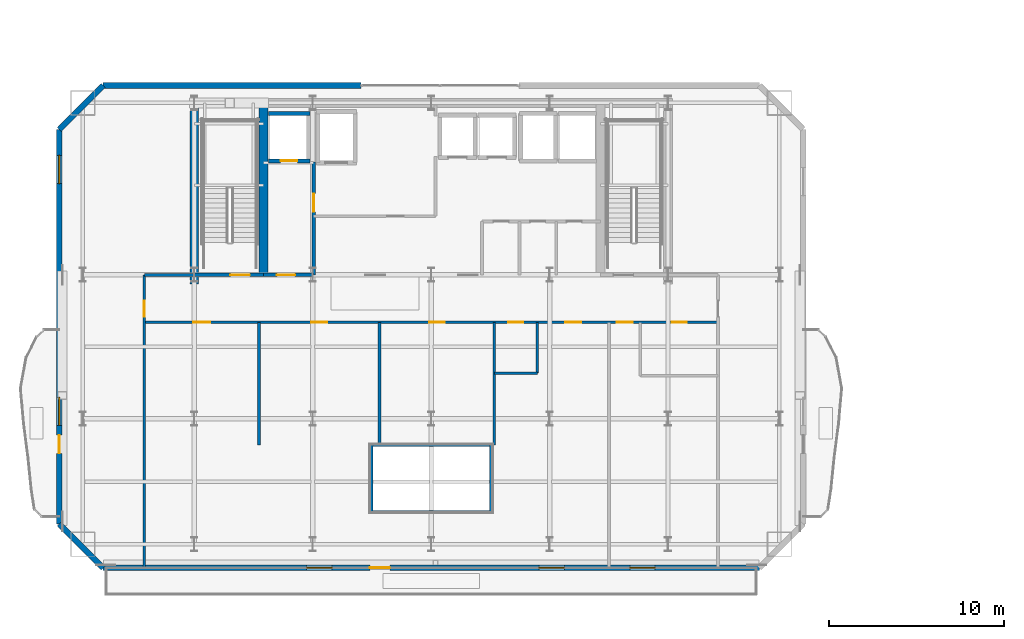
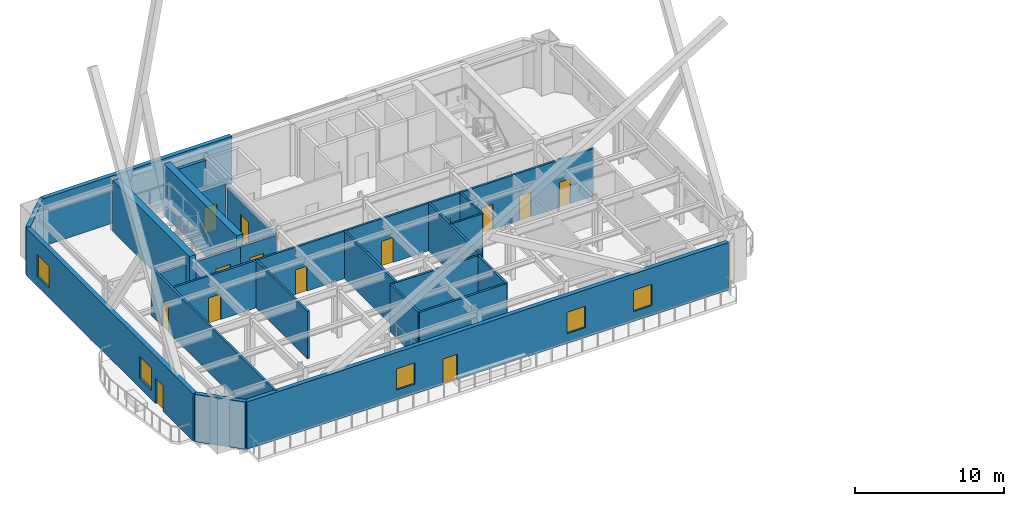
# One storey, part 12 of 22: 24 walls, 14 doors, 5 windows, 19 openings.
"""IFC4 building model written with IfcOpenShell, lengths in metres."""

from ifc_helpers import new_model, si_unit, direction, frame, frame_2d, origin, place, context, subcontext, project, spatial, rectangle, extrude, material, layer, layer_set, type_object, element, fill, save


model = new_model("IFC4")

# Units and contexts
model_context = context("Model", 3, precision=1e-05, world=origin(), true_north=direction((0.0, 1.0)))
body_context = subcontext(model_context, "Body", "Model", "MODEL_VIEW")
ifc_project = project(units=[si_unit("LENGTHUNIT", "METRE"), si_unit("AREAUNIT", "SQUARE_METRE"), si_unit("VOLUMEUNIT", "CUBIC_METRE"), si_unit("PLANEANGLEUNIT", "RADIAN"), si_unit("MASSUNIT", "GRAM", prefix="KILO")], contexts=[model_context])

# Site, building, storey
site_placement = place(None, origin())
site = spatial("IfcSite", under=ifc_project, at=site_placement, CompositionType="ELEMENT")
building_placement = place(site_placement, origin())
building = spatial("IfcBuilding", under=site, at=building_placement, Name="Haevon Station Towers", CompositionType="ELEMENT")
storey_placement = place(building_placement, frame((0.0, 0.0, 133.800048828125)))
storey = spatial("IfcBuildingStorey", under=building, at=storey_placement, Name="L36", CompositionType="ELEMENT", Elevation=133.800048828125)

# Wall, opening, door
ifc_material_1 = material(Name="Gypsum board on steel stud", Category="steel")
ifc_layer_1 = layer(ifc_material_1, 0.199951171875)
ifc_layer_set_1 = layer_set([ifc_layer_1], Name="Gypsum board on steel stud")
wall_type_1 = type_object("IfcWallType", Name="WL-COR200", PredefinedType="PARTITIONING", material=ifc_layer_set_1)
wall_1_placement = place(storey_placement, frame((24.0, 38.199951171875, 0.0), z_axis=(0.0, 0.0, 1.0), x_axis=(1.0, 0.0, 0.0)))
wall_1 = element("IfcWall", 1, at=wall_1_placement, inside=storey, type_object=wall_type_1, Name="WL-ST-ST1-L36", PredefinedType="PARTITIONING", context=body_context, shape_type="SweptSolid", body=[
    extrude(rectangle(XDim=3.949951171875, YDim=0.199951171875, at=frame_2d((1.97509765625, 0.0))), origin(), (0.0, 0.0, 1.0), 3.25),
])
opening_1_placement = place(wall_1_placement, frame((2.050048828125, 0.0, 0.0)))
opening_1 = element("IfcOpeningElement", 2, at=opening_1_placement, cuts=wall_1, Name="Opening DR-ST-ST1-L36", PredefinedType="OPENING", context=body_context, shape_type="SweptSolid", body=[
    extrude(rectangle(XDim=1.1201171875, YDim=2.10009765625, at=frame_2d((0.56005859375, 1.050048828125))), frame((0.0, 0.10986328125, 0.0), z_axis=(0.0, -1.0, 0.0), x_axis=(1.0, 0.0, 0.0)), (0.0, 0.0, 1.0), 0.219970703125),
])
ifc_material_2 = material(Name="Engineered oak timber", Category="wood")
door_type_1 = type_object("IfcDoorType", Name="DR-ST-1120", OperationType="NOTDEFINED", PredefinedType="DOOR", material=ifc_material_2)
door_1_placement = place(opening_1_placement, origin())
door_1 = element("IfcDoor", 3, at=door_1_placement, inside=storey, type_object=door_type_1, Name="L36 Escape Stair ST1 Fire Door", OperationType="SINGLE_SWING_LEFT", OverallHeight=2.10009765625, OverallWidth=1.1201171875, PredefinedType="DOOR", context=body_context, shape_type="SweptSolid", body=[
    extrude(rectangle(XDim=1.1201171875, YDim=2.10009765625, at=frame_2d((0.56005859375, 1.050048828125))), frame((0.0, 0.02490234375, 0.0), z_axis=(0.0, -1.0, 0.0), x_axis=(1.0, 0.0, 0.0)), (0.0, 0.0, 1.0), 0.050048828125),
])
fill(opening_1, door_1)

wall_2_placement = place(storey_placement, frame((30.800048828125, 38.199951171875, 0.0), z_axis=(0.0, 0.0, 1.0), x_axis=(0.0, 1.0, 0.0)))
wall_2 = element("IfcWall", 4, at=wall_2_placement, inside=storey, type_object=wall_type_1, Name="WL-T1FFL-L36-E", PredefinedType="PARTITIONING", context=body_context, shape_type="SweptSolid", body=[
    extrude(rectangle(XDim=6.449951171875, YDim=0.199951171875, at=frame_2d((3.22509765625, 0.0))), origin(), (0.0, 0.0, 1.0), 3.25),
])
opening_2_placement = place(wall_2_placement, frame((3.590087890625, 0.0, 0.0)))
opening_2 = element("IfcOpeningElement", 5, at=opening_2_placement, cuts=wall_2, Name="Opening DR-T1FFL-L36-E", PredefinedType="OPENING", context=body_context, shape_type="SweptSolid", body=[
    extrude(rectangle(XDim=1.050048828125, YDim=2.10009765625, at=frame_2d((0.52490234375, 1.050048828125))), frame((0.0, 0.10986328125, 0.0), z_axis=(0.0, -1.0, 0.0), x_axis=(1.0, 0.0, 0.0)), (0.0, 0.0, 1.0), 0.219970703125),
])
door_type_2 = type_object("IfcDoorType", Name="DR-FD60-1050", OperationType="NOTDEFINED", PredefinedType="DOOR", material=ifc_material_2)
door_2_placement = place(opening_2_placement, origin())
door_2 = element("IfcDoor", 6, at=door_2_placement, inside=storey, type_object=door_type_2, Name="L36 Tower 1 Firefighting Lift Lobby Door E", OperationType="SINGLE_SWING_LEFT", OverallHeight=2.10009765625, OverallWidth=1.050048828125, PredefinedType="DOOR", context=body_context, shape_type="SweptSolid", body=[
    extrude(rectangle(XDim=1.050048828125, YDim=2.10009765625, at=frame_2d((0.52490234375, 1.050048828125))), frame((0.0, 0.02490234375, 0.0), z_axis=(0.0, -1.0, 0.0), x_axis=(1.0, 0.0, 0.0)), (0.0, 0.0, 1.0), 0.050048828125),
])
fill(opening_2, door_2)

wall_3_placement = place(storey_placement, frame((27.949951171875, 38.199951171875, 0.0), z_axis=(0.0, 0.0, 1.0), x_axis=(1.0, 0.0, 0.0)))
wall_3 = element("IfcWall", 7, at=wall_3_placement, inside=storey, type_object=wall_type_1, Name="WL-T1FFL-L36-S", PredefinedType="PARTITIONING", context=body_context, shape_type="SweptSolid", body=[
    extrude(rectangle(XDim=2.85009765625, YDim=0.199951171875, at=frame_2d((1.425048828125, 0.0))), origin(), (0.0, 0.0, 1.0), 3.25),
])
opening_3_placement = place(wall_3_placement, frame((0.75, 0.0, 0.0)))
opening_3 = element("IfcOpeningElement", 8, at=opening_3_placement, cuts=wall_3, Name="Opening DR-T1FFL-L36-S", PredefinedType="OPENING", context=body_context, shape_type="SweptSolid", body=[
    extrude(rectangle(XDim=1.050048828125, YDim=2.10009765625, at=frame_2d((0.52490234375, 1.050048828125))), frame((0.0, 0.10986328125, 0.0), z_axis=(0.0, -1.0, 0.0), x_axis=(1.0, 0.0, 0.0)), (0.0, 0.0, 1.0), 0.219970703125),
])
door_3_placement = place(opening_3_placement, origin())
door_3 = element("IfcDoor", 9, at=door_3_placement, inside=storey, type_object=door_type_2, Name="L36 Tower 1 Firefighting Lift Lobby Door S", OperationType="SINGLE_SWING_RIGHT", OverallHeight=2.10009765625, OverallWidth=1.050048828125, PredefinedType="DOOR", context=body_context, shape_type="SweptSolid", body=[
    extrude(rectangle(XDim=1.050048828125, YDim=2.10009765625, at=frame_2d((0.52490234375, 1.050048828125))), frame((0.0, 0.02490234375, 0.0), z_axis=(0.0, -1.0, 0.0), x_axis=(1.0, 0.0, 0.0)), (0.0, 0.0, 1.0), 0.050048828125),
])
fill(opening_3, door_3)

# Walls
ifc_material_3 = material(Name="Concrete C60/75", Category="concrete")
ifc_layer_2 = layer(ifc_material_3, 0.5)
ifc_layer_set_2 = layer_set([ifc_layer_2], Name="Concrete C60/75")
wall_type_2 = type_object("IfcWallType", Name="WL-CR500", PredefinedType="SHEAR", material=ifc_layer_set_2)
wall_4_placement = place(storey_placement, frame((24.0, 37.679931640625, 0.0), z_axis=(0.0, 0.0, 1.0), x_axis=(0.0, 1.0, 0.0)))
element("IfcWall", 10, at=wall_4_placement, inside=storey, type_object=wall_type_2, Name="WL-T1CR-L36-W", PredefinedType="SHEAR", context=body_context, shape_type="SweptSolid", body=[
    extrude(rectangle(XDim=10.320068359375, YDim=0.5, at=frame_2d((5.16015625, 0.0))), origin(), (0.0, 0.0, 1.0), 4.199951171875),
])
wall_5_placement = place(storey_placement, frame((27.949951171875, 38.199951171875, 0.0), z_axis=(0.0, 0.0, 1.0), x_axis=(0.0, 1.0, 0.0)))
element("IfcWall", 11, at=wall_5_placement, inside=storey, type_object=wall_type_2, Name="WL-T1CR-L36-M1", PredefinedType="SHEAR", context=body_context, shape_type="SweptSolid", body=[
    extrude(rectangle(XDim=9.800048828125, YDim=0.5, at=frame_2d((4.89990234375, 0.0))), origin(), (0.0, 0.0, 1.0), 4.199951171875),
])

# Wall, openings, door, windows
ifc_material_4 = material(Name="Precast concrete C45/55", Category="concrete")
ifc_layer_3 = layer(ifc_material_4, 0.320068359375)
ifc_layer_set_3 = layer_set([ifc_layer_3], Name="Precast concrete C45/55")
wall_type_3 = type_object("IfcWallType", Name="WL-EXT-PIER320", PredefinedType="SOLIDWALL", material=ifc_layer_set_3)
wall_6_placement = place(storey_placement, frame((56.199951171875, 21.5, 0.0), z_axis=(0.0, 0.0, 1.0), x_axis=(-1.0, 0.0, 0.0)))
wall_6 = element("IfcWall", 12, at=wall_6_placement, inside=storey, type_object=wall_type_3, Name="WL-T1-L36-S", PredefinedType="SOLIDWALL", context=body_context, shape_type="SweptSolid", body=[
    extrude(rectangle(XDim=37.39990234375, YDim=0.320068359375, at=frame_2d((18.699951171875, 0.0))), origin(), (0.0, 0.0, 1.0), 3.89990234375),
])
opening_4_placement = place(wall_6_placement, frame((21.052001953125, 0.0, 0.0)))
opening_4 = element("IfcOpeningElement", 13, at=opening_4_placement, cuts=wall_6, Name="Opening DR-T1-SKYG-L36", PredefinedType="OPENING", context=body_context, shape_type="SweptSolid", body=[
    extrude(rectangle(XDim=1.14990234375, YDim=2.10009765625, at=frame_2d((0.574951171875, 1.050048828125))), frame((0.0, 0.169921875, 0.0), z_axis=(0.0, -1.0, 0.0), x_axis=(1.0, 0.0, 0.0)), (0.0, 0.0, 1.0), 0.340087890625),
])
opening_5_placement = place(wall_6_placement, frame((24.3515625, 0.0, 0.800048828125)))
opening_5 = element("IfcOpeningElement", 14, at=opening_5_placement, cuts=wall_6, Name="Opening WN-P145", PredefinedType="OPENING", context=body_context, shape_type="SweptSolid", body=[
    extrude(rectangle(XDim=1.449951171875, YDim=1.75, at=frame_2d((0.72509765625, 0.875))), frame((0.0, 0.169921875, 0.0), z_axis=(0.0, -1.0, 0.0), x_axis=(1.0, 0.0, 0.0)), (0.0, 0.0, 1.0), 0.340087890625),
])
opening_6_placement = place(wall_6_placement, frame((11.10791015625, 0.0, 0.800048828125)))
opening_6 = element("IfcOpeningElement", 15, at=opening_6_placement, cuts=wall_6, Name="Opening WN-P145", PredefinedType="OPENING", context=body_context, shape_type="SweptSolid", body=[
    extrude(rectangle(XDim=1.449951171875, YDim=1.75, at=frame_2d((0.72509765625, 0.875))), frame((0.0, 0.169921875, 0.0), z_axis=(0.0, -1.0, 0.0), x_axis=(1.0, 0.0, 0.0)), (0.0, 0.0, 1.0), 0.340087890625),
])
opening_7_placement = place(wall_6_placement, frame((5.932373046875, 0.0, 0.800048828125)))
opening_7 = element("IfcOpeningElement", 16, at=opening_7_placement, cuts=wall_6, Name="Opening WN-P145", PredefinedType="OPENING", context=body_context, shape_type="SweptSolid", body=[
    extrude(rectangle(XDim=1.449951171875, YDim=1.75, at=frame_2d((0.72509765625, 0.875))), frame((0.0, 0.169921875, 0.0), z_axis=(0.0, -1.0, 0.0), x_axis=(1.0, 0.0, 0.0)), (0.0, 0.0, 1.0), 0.340087890625),
])
ifc_material_5 = material(Name="Thermally broken anodised aluminium and laminated safety glass", Category="aluminium")
door_type_3 = type_object("IfcDoorType", Name="DR-BALC-1150", OperationType="NOTDEFINED", PredefinedType="DOOR", material=ifc_material_5)
door_4_placement = place(opening_4_placement, origin())
door_4 = element("IfcDoor", 17, at=door_4_placement, inside=storey, type_object=door_type_3, Name="Tower 1 L36 Sky Garden Terrace Door", OperationType="SINGLE_SWING_RIGHT", OverallHeight=2.10009765625, OverallWidth=1.14990234375, PredefinedType="DOOR", context=body_context, shape_type="SweptSolid", body=[
    extrude(rectangle(XDim=1.14990234375, YDim=2.10009765625, at=frame_2d((0.574951171875, 1.050048828125))), frame((0.0, 0.02490234375, 0.0), z_axis=(0.0, -1.0, 0.0), x_axis=(1.0, 0.0, 0.0)), (0.0, 0.0, 1.0), 0.050048828125),
])
fill(opening_4, door_4)
ifc_material_6 = material(Name="Low-E triple glazing in thermally broken aluminium", Category="aluminium")
window_type_1 = type_object("IfcWindowType", Name="WN-P145", PartitioningType="SINGLE_PANEL", PredefinedType="WINDOW", material=ifc_material_6)
window_1_placement = place(opening_5_placement, origin())
window_1 = element("IfcWindow", 18, at=window_1_placement, inside=storey, type_object=window_type_1, Name="WN-T1-L36-S01", OverallHeight=1.75, OverallWidth=1.449951171875, PartitioningType="SINGLE_PANEL", PredefinedType="WINDOW", context=body_context, shape_type="SweptSolid", body=[
    extrude(rectangle(XDim=1.449951171875, YDim=1.75, at=frame_2d((0.72509765625, 0.875))), frame((0.0, 0.030029296875, 0.0), z_axis=(0.0, -1.0, 0.0), x_axis=(1.0, 0.0, 0.0)), (0.0, 0.0, 1.0), 0.06005859375),
])
fill(opening_5, window_1)
window_2_placement = place(opening_6_placement, origin())
window_2 = element("IfcWindow", 19, at=window_2_placement, inside=storey, type_object=window_type_1, Name="WN-T1-L36-S02", OverallHeight=1.75, OverallWidth=1.449951171875, PartitioningType="SINGLE_PANEL", PredefinedType="WINDOW", context=body_context, shape_type="SweptSolid", body=[
    extrude(rectangle(XDim=1.449951171875, YDim=1.75, at=frame_2d((0.72509765625, 0.875))), frame((0.0, 0.030029296875, 0.0), z_axis=(0.0, -1.0, 0.0), x_axis=(1.0, 0.0, 0.0)), (0.0, 0.0, 1.0), 0.06005859375),
])
fill(opening_6, window_2)
window_3_placement = place(opening_7_placement, origin())
window_3 = element("IfcWindow", 20, at=window_3_placement, inside=storey, type_object=window_type_1, Name="WN-T1-L36-S03", OverallHeight=1.75, OverallWidth=1.449951171875, PartitioningType="SINGLE_PANEL", PredefinedType="WINDOW", context=body_context, shape_type="SweptSolid", body=[
    extrude(rectangle(XDim=1.449951171875, YDim=1.75, at=frame_2d((0.72509765625, 0.875))), frame((0.0, 0.030029296875, 0.0), z_axis=(0.0, -1.0, 0.0), x_axis=(1.0, 0.0, 0.0)), (0.0, 0.0, 1.0), 0.06005859375),
])
fill(opening_7, window_3)

# Wall
wall_7_placement = place(storey_placement, frame((18.800048828125, 21.5, 0.0), z_axis=(0.0, 0.0, 1.0), x_axis=(-0.707106781187, 0.707106781187, 0.0)))
element("IfcWall", 21, at=wall_7_placement, inside=storey, type_object=wall_type_3, Name="WL-T1-L36-SWC", PredefinedType="SOLIDWALL", context=body_context, shape_type="SweptSolid", body=[
    extrude(rectangle(XDim=3.53564453125, YDim=0.320068359375, at=frame_2d((1.767822265625, 0.0))), origin(), (0.0, 0.0, 1.0), 3.89990234375),
])

# Wall, openings, door, windows
wall_8_placement = place(storey_placement, frame((16.300048828125, 24.0, 0.0), z_axis=(0.0, 0.0, 1.0), x_axis=(0.0, 1.0, 0.0)))
wall_8 = element("IfcWall", 22, at=wall_8_placement, inside=storey, type_object=wall_type_3, Name="WL-T1-L36-W", PredefinedType="SOLIDWALL", context=body_context, shape_type="SweptSolid", body=[
    extrude(rectangle(XDim=22.5, YDim=0.320068359375, at=frame_2d((11.25, 0.0))), origin(), (0.0, 0.0, 1.0), 3.89990234375),
])
opening_8_placement = place(wall_8_placement, frame((4.02490234375, 0.0, 0.0)))
opening_8 = element("IfcOpeningElement", 23, at=opening_8_placement, cuts=wall_8, Name="Opening DR-T1-SCAL-L36-W", PredefinedType="OPENING", context=body_context, shape_type="SweptSolid", body=[
    extrude(rectangle(XDim=1.050048828125, YDim=2.10009765625, at=frame_2d((0.52490234375, 1.050048828125))), frame((0.0, 0.169921875, 0.0), z_axis=(0.0, -1.0, 0.0), x_axis=(1.0, 0.0, 0.0)), (0.0, 0.0, 1.0), 0.340087890625),
])
opening_9_placement = place(wall_8_placement, frame((5.625, 0.0, 0.800048828125)))
opening_9 = element("IfcOpeningElement", 24, at=opening_9_placement, cuts=wall_8, Name="Opening WN-END160", PredefinedType="OPENING", context=body_context, shape_type="SweptSolid", body=[
    extrude(rectangle(XDim=1.60009765625, YDim=1.800048828125, at=frame_2d((0.800048828125, 0.89990234375))), frame((0.0, 0.169921875, 0.0), z_axis=(0.0, -1.0, 0.0), x_axis=(1.0, 0.0, 0.0)), (0.0, 0.0, 1.0), 0.340087890625),
])
opening_10_placement = place(wall_8_placement, frame((19.41064453125, 0.0, 0.800048828125)))
opening_10 = element("IfcOpeningElement", 25, at=opening_10_placement, cuts=wall_8, Name="Opening WN-END160", PredefinedType="OPENING", context=body_context, shape_type="SweptSolid", body=[
    extrude(rectangle(XDim=1.60009765625, YDim=1.800048828125, at=frame_2d((0.800048828125, 0.89990234375))), frame((0.0, 0.169921875, 0.0), z_axis=(0.0, -1.0, 0.0), x_axis=(1.0, 0.0, 0.0)), (0.0, 0.0, 1.0), 0.340087890625),
])
door_type_4 = type_object("IfcDoorType", Name="DR-BALC-1050", OperationType="NOTDEFINED", PredefinedType="DOOR", material=ifc_material_5)
door_5_placement = place(opening_8_placement, origin())
door_5 = element("IfcDoor", 26, at=door_5_placement, inside=storey, type_object=door_type_4, Name="Tower 1 L36 West Scalloped Balcony Door", OperationType="SINGLE_SWING_LEFT", OverallHeight=2.10009765625, OverallWidth=1.050048828125, PredefinedType="DOOR", context=body_context, shape_type="SweptSolid", body=[
    extrude(rectangle(XDim=1.050048828125, YDim=2.10009765625, at=frame_2d((0.52490234375, 1.050048828125))), frame((0.0, 0.02490234375, 0.0), z_axis=(0.0, -1.0, 0.0), x_axis=(1.0, 0.0, 0.0)), (0.0, 0.0, 1.0), 0.050048828125),
])
fill(opening_8, door_5)
window_type_2 = type_object("IfcWindowType", Name="WN-END160", PartitioningType="SINGLE_PANEL", PredefinedType="WINDOW", material=ifc_material_6)
window_4_placement = place(opening_9_placement, origin())
window_4 = element("IfcWindow", 27, at=window_4_placement, inside=storey, type_object=window_type_2, Name="WN-T1-L36-W01", OverallHeight=1.800048828125, OverallWidth=1.60009765625, PartitioningType="SINGLE_PANEL", PredefinedType="WINDOW", context=body_context, shape_type="SweptSolid", body=[
    extrude(rectangle(XDim=1.60009765625, YDim=1.800048828125, at=frame_2d((0.800048828125, 0.89990234375))), frame((0.0, 0.030029296875, 0.0), z_axis=(0.0, -1.0, 0.0), x_axis=(1.0, 0.0, 0.0)), (0.0, 0.0, 1.0), 0.06005859375),
])
fill(opening_9, window_4)
window_5_placement = place(opening_10_placement, origin())
window_5 = element("IfcWindow", 28, at=window_5_placement, inside=storey, type_object=window_type_2, Name="WN-T1-L36-W02", OverallHeight=1.800048828125, OverallWidth=1.60009765625, PartitioningType="SINGLE_PANEL", PredefinedType="WINDOW", context=body_context, shape_type="SweptSolid", body=[
    extrude(rectangle(XDim=1.60009765625, YDim=1.800048828125, at=frame_2d((0.800048828125, 0.89990234375))), frame((0.0, 0.030029296875, 0.0), z_axis=(0.0, -1.0, 0.0), x_axis=(1.0, 0.0, 0.0)), (0.0, 0.0, 1.0), 0.06005859375),
])
fill(opening_10, window_5)

# Walls
wall_9_placement = place(storey_placement, frame((16.300048828125, 46.5, 0.0), z_axis=(0.0, 0.0, 1.0), x_axis=(0.707106781187, 0.707106781187, 0.0)))
element("IfcWall", 29, at=wall_9_placement, inside=storey, type_object=wall_type_3, Name="WL-T1-L36-NWC", PredefinedType="SOLIDWALL", context=body_context, shape_type="SweptSolid", body=[
    extrude(rectangle(XDim=3.53564453125, YDim=0.320068359375, at=frame_2d((1.767822265625, 0.0))), origin(), (0.0, 0.0, 1.0), 3.89990234375),
])
wall_10_placement = place(storey_placement, frame((18.800048828125, 49.0, 0.0), z_axis=(0.0, 0.0, 1.0), x_axis=(1.0, 0.0, 0.0)))
element("IfcWall", 30, at=wall_10_placement, inside=storey, type_object=wall_type_3, Name="WL-T1-L36-N1", PredefinedType="SOLIDWALL", context=body_context, shape_type="SweptSolid", body=[
    extrude(rectangle(XDim=14.699951171875, YDim=0.320068359375, at=frame_2d((7.35009765625, 0.0))), origin(), (0.0, 0.0, 1.0), 3.89990234375),
])
ifc_layer_4 = layer(ifc_material_1, 0.125)
ifc_layer_set_4 = layer_set([ifc_layer_4], Name="Gypsum board on steel stud")
wall_type_4 = type_object("IfcWallType", Name="WL-PRT125", PredefinedType="PARTITIONING", material=ifc_layer_set_4)
wall_11_placement = place(storey_placement, frame((43.547119140625, 32.60009765625, 0.0), z_axis=(0.0, 0.0, 1.0), x_axis=(0.0, 1.0, 0.0)))
element("IfcWall", 31, at=wall_11_placement, inside=storey, type_object=wall_type_4, Name="WL-T1PT-L36-15", PredefinedType="PARTITIONING", context=body_context, shape_type="SweptSolid", body=[
    extrude(rectangle(XDim=2.89990234375, YDim=0.125, at=frame_2d((1.449951171875, 0.0))), origin(), (0.0, 0.0, 1.0), 3.89990234375),
])
ifc_layer_5 = layer(ifc_material_1, 0.139892578125)
ifc_layer_set_5 = layer_set([ifc_layer_5], Name="Gypsum board on steel stud")
wall_type_5 = type_object("IfcWallType", Name="WL-PRT140", PredefinedType="PARTITIONING", material=ifc_layer_set_5)
wall_12_placement = place(storey_placement, frame((41.096923828125, 32.60009765625, 0.0), z_axis=(0.0, 0.0, 1.0), x_axis=(1.0, 0.0, 0.0)))
element("IfcWall", 32, at=wall_12_placement, inside=storey, type_object=wall_type_5, Name="WL-T1PT-L36-14", PredefinedType="PARTITIONING", context=body_context, shape_type="SweptSolid", body=[
    extrude(rectangle(XDim=2.4501953125, YDim=0.139892578125, at=frame_2d((1.22509765625, 0.0))), origin(), (0.0, 0.0, 1.0), 3.89990234375),
])
ifc_layer_6 = layer(ifc_material_1, 0.159912109375)
ifc_layer_set_6 = layer_set([ifc_layer_6], Name="Gypsum board on steel stud")
wall_type_6 = type_object("IfcWallType", Name="WL-PRT160", PredefinedType="PARTITIONING", material=ifc_layer_set_6)
wall_13_placement = place(storey_placement, frame((21.14990234375, 38.199951171875, 0.0), z_axis=(0.0, 0.0, 1.0), x_axis=(1.0, 0.0, 0.0)))
element("IfcWall", 33, at=wall_13_placement, inside=storey, type_object=wall_type_6, Name="WL-T1PT-L36-01", PredefinedType="PARTITIONING", context=body_context, shape_type="SweptSolid", body=[
    extrude(rectangle(XDim=2.85009765625, YDim=0.159912109375, at=frame_2d((1.425048828125, 0.0))), origin(), (0.0, 0.0, 1.0), 3.25),
])

# Wall, opening, door
wall_14_placement = place(storey_placement, frame((21.14990234375, 21.5, 0.0), z_axis=(0.0, 0.0, 1.0), x_axis=(0.0, 1.0, 0.0)))
wall_14 = element("IfcWall", 34, at=wall_14_placement, inside=storey, type_object=wall_type_6, Name="WL-T1PT-L36-03", PredefinedType="PARTITIONING", context=body_context, shape_type="SweptSolid", body=[
    extrude(rectangle(XDim=16.699951171875, YDim=0.159912109375, at=frame_2d((8.35009765625, 0.0))), origin(), (0.0, 0.0, 1.0), 3.89990234375),
])
opening_11_placement = place(wall_14_placement, frame((14.320068359375, 0.0, 0.0)))
opening_11 = element("IfcOpeningElement", 35, at=opening_11_placement, cuts=wall_14, Name="Opening DR-WL-T1PT-L36-03-01", PredefinedType="OPENING", context=body_context, shape_type="SweptSolid", body=[
    extrude(rectangle(XDim=0.89990234375, YDim=2.050048828125, at=frame_2d((0.449951171875, 1.02490234375))), frame((0.0, 0.08984375, 0.0), z_axis=(0.0, -1.0, 0.0), x_axis=(1.0, 0.0, 0.0)), (0.0, 0.0, 1.0), 0.179931640625),
])
door_type_5 = type_object("IfcDoorType", Name="DR-INT-900", OperationType="NOTDEFINED", PredefinedType="DOOR", material=ifc_material_2)
door_6_placement = place(opening_11_placement, origin())
door_6 = element("IfcDoor", 36, at=door_6_placement, inside=storey, type_object=door_type_5, Name="L36 Tower 1 Room Door 3-1", OperationType="SINGLE_SWING_RIGHT", OverallHeight=2.050048828125, OverallWidth=0.89990234375, PredefinedType="DOOR", context=body_context, shape_type="SweptSolid", body=[
    extrude(rectangle(XDim=0.89990234375, YDim=2.050048828125, at=frame_2d((0.449951171875, 1.02490234375))), frame((0.0, 0.02490234375, 0.0), z_axis=(0.0, -1.0, 0.0), x_axis=(1.0, 0.0, 0.0)), (0.0, 0.0, 1.0), 0.050048828125),
])
fill(opening_11, door_6)

# Walls
for number, where, z_axis, x_axis, name in (
    (37, (34.10009765625, 24.699951171875, 0.0), (0.0, 0.0, 1.0), (1.0, 0.0, 0.0), "WL-T1PT-L36-05"),
    (38, (34.10009765625, 28.5, 0.0), (0.0, 0.0, 1.0), (1.0, 0.0, 0.0), "WL-T1PT-L36-06"),
):
    element("IfcWall", number, at=place(storey_placement, frame(where, z_axis=z_axis, x_axis=x_axis)), inside=storey, type_object=wall_type_6, Name=name, PredefinedType="PARTITIONING", context=body_context, shape_type="SweptSolid", body=[
        extrude(rectangle(XDim=6.7998046875, YDim=0.159912109375, at=frame_2d((3.39990234375, 0.0))), origin(), (0.0, 0.0, 1.0), 3.89990234375),
    ])
for number, where, z_axis, x_axis, name in (
    (39, (34.10009765625, 24.699951171875, 0.0), (0.0, 0.0, 1.0), (0.0, 1.0, 0.0), "WL-T1PT-L36-07"),
    (40, (40.89990234375, 24.699951171875, 0.0), (0.0, 0.0, 1.0), (0.0, 1.0, 0.0), "WL-T1PT-L36-08"),
):
    element("IfcWall", number, at=place(storey_placement, frame(where, z_axis=z_axis, x_axis=x_axis)), inside=storey, type_object=wall_type_6, Name=name, PredefinedType="PARTITIONING", context=body_context, shape_type="SweptSolid", body=[
        extrude(rectangle(XDim=3.800048828125, YDim=0.159912109375, at=frame_2d((1.89990234375, 0.0))), origin(), (0.0, 0.0, 1.0), 3.89990234375),
    ])
for number, where, z_axis, x_axis, name in (
    (41, (27.68994140625, 28.5, 0.0), (0.0, 0.0, 1.0), (0.0, 1.0, 0.0), "WL-T1PT-L36-09"),
    (42, (34.556884765625, 28.5, 0.0), (0.0, 0.0, 1.0), (0.0, 1.0, 0.0), "WL-T1PT-L36-10"),
    (43, (41.096923828125, 28.5, 0.0), (0.0, 0.0, 1.0), (0.0, 1.0, 0.0), "WL-T1PT-L36-12"),
):
    element("IfcWall", number, at=place(storey_placement, frame(where, z_axis=z_axis, x_axis=x_axis)), inside=storey, type_object=wall_type_6, Name=name, PredefinedType="PARTITIONING", context=body_context, shape_type="SweptSolid", body=[
        extrude(rectangle(XDim=7.0, YDim=0.159912109375, at=frame_2d((3.5, 0.0))), origin(), (0.0, 0.0, 1.0), 3.89990234375),
    ])

# Wall, openings, doors
wall_15_placement = place(storey_placement, frame((21.14990234375, 35.5, 0.0), z_axis=(0.0, 0.0, 1.0), x_axis=(1.0, 0.0, 0.0)))
wall_15 = element("IfcWall", 44, at=wall_15_placement, inside=storey, type_object=wall_type_6, Name="WL-T1PT-L36-19", PredefinedType="PARTITIONING", context=body_context, shape_type="SweptSolid", body=[
    extrude(rectangle(XDim=32.7001953125, YDim=0.159912109375, at=frame_2d((16.35009765625, 0.0))), origin(), (0.0, 0.0, 1.0), 3.89990234375),
])
opening_12_placement = place(wall_15_placement, frame((2.794921875, 0.0, 0.0)))
opening_12 = element("IfcOpeningElement", 45, at=opening_12_placement, cuts=wall_15, Name="Opening DR-WL-T1PT-L36-19-01", PredefinedType="OPENING", context=body_context, shape_type="SweptSolid", body=[
    extrude(rectangle(XDim=0.949951171875, YDim=2.10009765625, at=frame_2d((0.47509765625, 1.050048828125))), frame((0.0, 0.08984375, 0.0), z_axis=(0.0, -1.0, 0.0), x_axis=(1.0, 0.0, 0.0)), (0.0, 0.0, 1.0), 0.179931640625),
])
opening_13_placement = place(wall_15_placement, frame((9.52392578125, 0.0, 0.0)))
opening_13 = element("IfcOpeningElement", 46, at=opening_13_placement, cuts=wall_15, Name="Opening DR-WL-T1PT-L36-19-02", PredefinedType="OPENING", context=body_context, shape_type="SweptSolid", body=[
    extrude(rectangle(XDim=0.89990234375, YDim=2.050048828125, at=frame_2d((0.449951171875, 1.02490234375))), frame((0.0, 0.08984375, 0.0), z_axis=(0.0, -1.0, 0.0), x_axis=(1.0, 0.0, 0.0)), (0.0, 0.0, 1.0), 0.179931640625),
])
opening_14_placement = place(wall_15_placement, frame((16.22705078125, 0.0, 0.0)))
opening_14 = element("IfcOpeningElement", 47, at=opening_14_placement, cuts=wall_15, Name="Opening DR-WL-T1PT-L36-19-03", PredefinedType="OPENING", context=body_context, shape_type="SweptSolid", body=[
    extrude(rectangle(XDim=0.89990234375, YDim=2.050048828125, at=frame_2d((0.449951171875, 1.02490234375))), frame((0.0, 0.08984375, 0.0), z_axis=(0.0, -1.0, 0.0), x_axis=(1.0, 0.0, 0.0)), (0.0, 0.0, 1.0), 0.179931640625),
])
opening_15_placement = place(wall_15_placement, frame((20.7470703125, 0.0, 0.0)))
opening_15 = element("IfcOpeningElement", 48, at=opening_15_placement, cuts=wall_15, Name="Opening DR-WL-T1PT-L36-19-04", PredefinedType="OPENING", context=body_context, shape_type="SweptSolid", body=[
    extrude(rectangle(XDim=0.85009765625, YDim=2.050048828125, at=frame_2d((0.425048828125, 1.02490234375))), frame((0.0, 0.08984375, 0.0), z_axis=(0.0, -1.0, 0.0), x_axis=(1.0, 0.0, 0.0)), (0.0, 0.0, 1.0), 0.179931640625),
])
opening_16_placement = place(wall_15_placement, frame((23.991943359375, 0.0, 0.0)))
opening_16 = element("IfcOpeningElement", 49, at=opening_16_placement, cuts=wall_15, Name="Opening DR-WL-T1PT-L36-19-05", PredefinedType="OPENING", context=body_context, shape_type="SweptSolid", body=[
    extrude(rectangle(XDim=0.89990234375, YDim=2.050048828125, at=frame_2d((0.449951171875, 1.02490234375))), frame((0.0, 0.08984375, 0.0), z_axis=(0.0, -1.0, 0.0), x_axis=(1.0, 0.0, 0.0)), (0.0, 0.0, 1.0), 0.179931640625),
])
opening_17_placement = place(wall_15_placement, frame((30.05810546875, 0.0, 0.0)))
opening_17 = element("IfcOpeningElement", 50, at=opening_17_placement, cuts=wall_15, Name="Opening DR-WL-T1PT-L36-19-06", PredefinedType="OPENING", context=body_context, shape_type="SweptSolid", body=[
    extrude(rectangle(XDim=0.85009765625, YDim=2.050048828125, at=frame_2d((0.425048828125, 1.02490234375))), frame((0.0, 0.08984375, 0.0), z_axis=(0.0, -1.0, 0.0), x_axis=(1.0, 0.0, 0.0)), (0.0, 0.0, 1.0), 0.179931640625),
])
opening_18_placement = place(wall_15_placement, frame((26.927001953125, 0.0, 0.0)))
opening_18 = element("IfcOpeningElement", 51, at=opening_18_placement, cuts=wall_15, Name="Opening DR-WL-T1PT-L36-19-07", PredefinedType="OPENING", context=body_context, shape_type="SweptSolid", body=[
    extrude(rectangle(XDim=0.89990234375, YDim=2.050048828125, at=frame_2d((0.449951171875, 1.02490234375))), frame((0.0, 0.08984375, 0.0), z_axis=(0.0, -1.0, 0.0), x_axis=(1.0, 0.0, 0.0)), (0.0, 0.0, 1.0), 0.179931640625),
])
door_type_6 = type_object("IfcDoorType", Name="DR-FD30-850", OperationType="NOTDEFINED", PredefinedType="DOOR", material=ifc_material_2)
door_7_placement = place(opening_15_placement, origin())
door_7 = element("IfcDoor", 52, at=door_7_placement, inside=storey, type_object=door_type_6, Name="L36 Tower 1 Room Door 19-4", OperationType="SINGLE_SWING_LEFT", OverallHeight=2.050048828125, OverallWidth=0.85009765625, PredefinedType="DOOR", context=body_context, shape_type="SweptSolid", body=[
    extrude(rectangle(XDim=0.85009765625, YDim=2.050048828125, at=frame_2d((0.425048828125, 1.02490234375))), frame((0.0, 0.02490234375, 0.0), z_axis=(0.0, -1.0, 0.0), x_axis=(1.0, 0.0, 0.0)), (0.0, 0.0, 1.0), 0.050048828125),
])
fill(opening_15, door_7)
door_8_placement = place(opening_17_placement, origin())
door_8 = element("IfcDoor", 53, at=door_8_placement, inside=storey, type_object=door_type_6, Name="L36 Tower 1 Room Door 19-6", OperationType="SINGLE_SWING_LEFT", OverallHeight=2.050048828125, OverallWidth=0.85009765625, PredefinedType="DOOR", context=body_context, shape_type="SweptSolid", body=[
    extrude(rectangle(XDim=0.85009765625, YDim=2.050048828125, at=frame_2d((0.425048828125, 1.02490234375))), frame((0.0, 0.02490234375, 0.0), z_axis=(0.0, -1.0, 0.0), x_axis=(1.0, 0.0, 0.0)), (0.0, 0.0, 1.0), 0.050048828125),
])
fill(opening_17, door_8)
door_type_7 = type_object("IfcDoorType", Name="DR-FD30-950", OperationType="NOTDEFINED", PredefinedType="DOOR", material=ifc_material_2)
door_9_placement = place(opening_12_placement, origin())
door_9 = element("IfcDoor", 54, at=door_9_placement, inside=storey, type_object=door_type_7, Name="L36 Tower 1 Room Door 19-1", OperationType="SINGLE_SWING_RIGHT", OverallHeight=2.10009765625, OverallWidth=0.949951171875, PredefinedType="DOOR", context=body_context, shape_type="SweptSolid", body=[
    extrude(rectangle(XDim=0.949951171875, YDim=2.10009765625, at=frame_2d((0.47509765625, 1.050048828125))), frame((0.0, 0.02490234375, 0.0), z_axis=(0.0, -1.0, 0.0), x_axis=(1.0, 0.0, 0.0)), (0.0, 0.0, 1.0), 0.050048828125),
])
fill(opening_12, door_9)
door_10_placement = place(opening_13_placement, origin())
door_10 = element("IfcDoor", 55, at=door_10_placement, inside=storey, type_object=door_type_5, Name="L36 Tower 1 Room Door 19-2", OperationType="SINGLE_SWING_LEFT", OverallHeight=2.050048828125, OverallWidth=0.89990234375, PredefinedType="DOOR", context=body_context, shape_type="SweptSolid", body=[
    extrude(rectangle(XDim=0.89990234375, YDim=2.050048828125, at=frame_2d((0.449951171875, 1.02490234375))), frame((0.0, 0.02490234375, 0.0), z_axis=(0.0, -1.0, 0.0), x_axis=(1.0, 0.0, 0.0)), (0.0, 0.0, 1.0), 0.050048828125),
])
fill(opening_13, door_10)
door_11_placement = place(opening_14_placement, origin())
door_11 = element("IfcDoor", 56, at=door_11_placement, inside=storey, type_object=door_type_5, Name="L36 Tower 1 Room Door 19-3", OperationType="SINGLE_SWING_RIGHT", OverallHeight=2.050048828125, OverallWidth=0.89990234375, PredefinedType="DOOR", context=body_context, shape_type="SweptSolid", body=[
    extrude(rectangle(XDim=0.89990234375, YDim=2.050048828125, at=frame_2d((0.449951171875, 1.02490234375))), frame((0.0, 0.02490234375, 0.0), z_axis=(0.0, -1.0, 0.0), x_axis=(1.0, 0.0, 0.0)), (0.0, 0.0, 1.0), 0.050048828125),
])
fill(opening_14, door_11)
door_12_placement = place(opening_16_placement, origin())
door_12 = element("IfcDoor", 57, at=door_12_placement, inside=storey, type_object=door_type_5, Name="L36 Tower 1 Room Door 19-5", OperationType="SINGLE_SWING_RIGHT", OverallHeight=2.050048828125, OverallWidth=0.89990234375, PredefinedType="DOOR", context=body_context, shape_type="SweptSolid", body=[
    extrude(rectangle(XDim=0.89990234375, YDim=2.050048828125, at=frame_2d((0.449951171875, 1.02490234375))), frame((0.0, 0.02490234375, 0.0), z_axis=(0.0, -1.0, 0.0), x_axis=(1.0, 0.0, 0.0)), (0.0, 0.0, 1.0), 0.050048828125),
])
fill(opening_16, door_12)
door_13_placement = place(opening_18_placement, origin())
door_13 = element("IfcDoor", 58, at=door_13_placement, inside=storey, type_object=door_type_5, Name="L36 Tower 1 Room Door 19-7", OperationType="SINGLE_SWING_RIGHT", OverallHeight=2.050048828125, OverallWidth=0.89990234375, PredefinedType="DOOR", context=body_context, shape_type="SweptSolid", body=[
    extrude(rectangle(XDim=0.89990234375, YDim=2.050048828125, at=frame_2d((0.449951171875, 1.02490234375))), frame((0.0, 0.02490234375, 0.0), z_axis=(0.0, -1.0, 0.0), x_axis=(1.0, 0.0, 0.0)), (0.0, 0.0, 1.0), 0.050048828125),
])
fill(opening_18, door_13)

# Wall, opening, door
ifc_material_7 = material(Name="Concrete C40/50", Category="concrete")
ifc_layer_7 = layer(ifc_material_7, 0.239990234375)
ifc_layer_set_7 = layer_set([ifc_layer_7], Name="Concrete C40/50")
wall_type_7 = type_object("IfcWallType", Name="WL-SHF240", PredefinedType="PARTITIONING", material=ifc_layer_set_7)
wall_16_placement = place(storey_placement, frame((28.219970703125, 44.699951171875, 0.0), z_axis=(0.0, 0.0, 1.0), x_axis=(1.0, 0.0, 0.0)))
wall_16 = element("IfcWall", 59, at=wall_16_placement, inside=storey, type_object=wall_type_7, Name="WL-SHF-FL1-L36", PredefinedType="PARTITIONING", context=body_context, shape_type="SweptSolid", body=[
    extrude(rectangle(XDim=2.360107421875, YDim=0.239990234375, at=frame_2d((1.18017578125, 0.0))), origin(), (0.0, 0.0, 1.0), 3.599853515625),
])
opening_19_placement = place(wall_16_placement, frame((0.705078125, 0.0, 0.0)))
opening_19 = element("IfcOpeningElement", 60, at=opening_19_placement, cuts=wall_16, Name="Opening LD-FL1-L36", PredefinedType="OPENING", context=body_context, shape_type="SweptSolid", body=[
    extrude(rectangle(XDim=0.949951171875, YDim=2.14990234375, at=frame_2d((0.47509765625, 1.074951171875))), frame((0.0, 0.1298828125, 0.0), z_axis=(0.0, -1.0, 0.0), x_axis=(1.0, 0.0, 0.0)), (0.0, 0.0, 1.0), 0.260009765625),
])
ifc_material_8 = material(Name="Stainless steel and rated core", Category="steel")
door_type_8 = type_object("IfcDoorType", Name="LD-FL950", OperationType="SLIDING_TO_LEFT", PredefinedType="DOOR", material=ifc_material_8)
door_14_placement = place(opening_19_placement, origin())
door_14 = element("IfcDoor", 61, at=door_14_placement, inside=storey, type_object=door_type_8, Name="L36 Lift FL1 Sliding Landing Door", OperationType="SLIDING_TO_LEFT", OverallHeight=2.14990234375, OverallWidth=0.949951171875, PredefinedType="DOOR", context=body_context, shape_type="SweptSolid", body=[
    extrude(rectangle(XDim=0.949951171875, YDim=2.14990234375, at=frame_2d((0.47509765625, 1.074951171875))), frame((0.0, 0.02490234375, 0.0), z_axis=(0.0, -1.0, 0.0), x_axis=(1.0, 0.0, 0.0)), (0.0, 0.0, 1.0), 0.050048828125),
])
fill(opening_19, door_14)

# Wall
wall_17_placement = place(storey_placement, frame((28.219970703125, 47.39990234375, 0.0), z_axis=(0.0, 0.0, 1.0), x_axis=(1.0, 0.0, 0.0)))
element("IfcWall", 62, at=wall_17_placement, inside=storey, type_object=wall_type_7, Name="WL-SHF-FL1-L36-N", PredefinedType="PARTITIONING", context=body_context, shape_type="SweptSolid", body=[
    extrude(rectangle(XDim=2.360107421875, YDim=0.239990234375, at=frame_2d((1.18017578125, 0.0))), origin(), (0.0, 0.0, 1.0), 3.89990234375),
])

save(model, "model.ifc")
